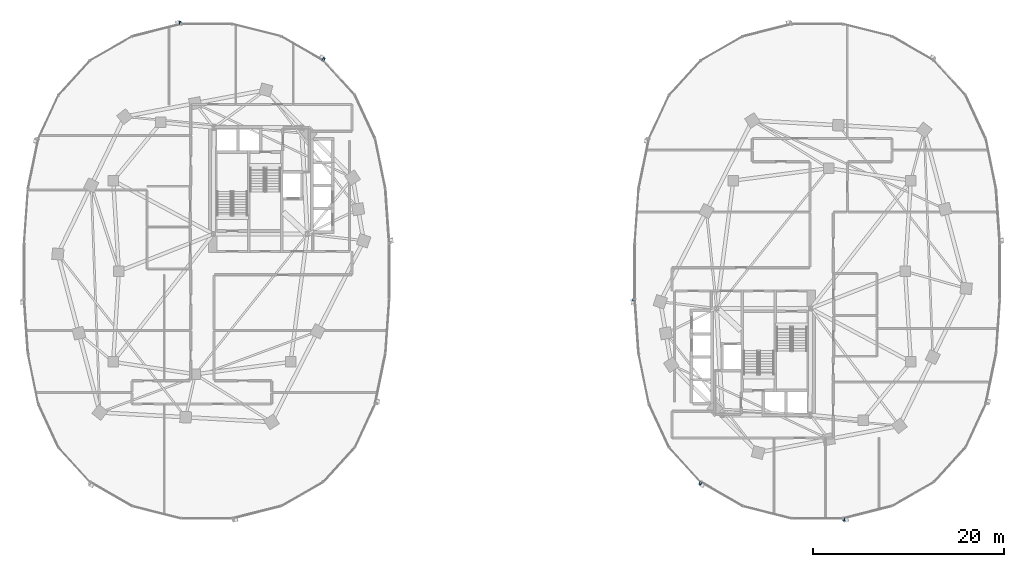
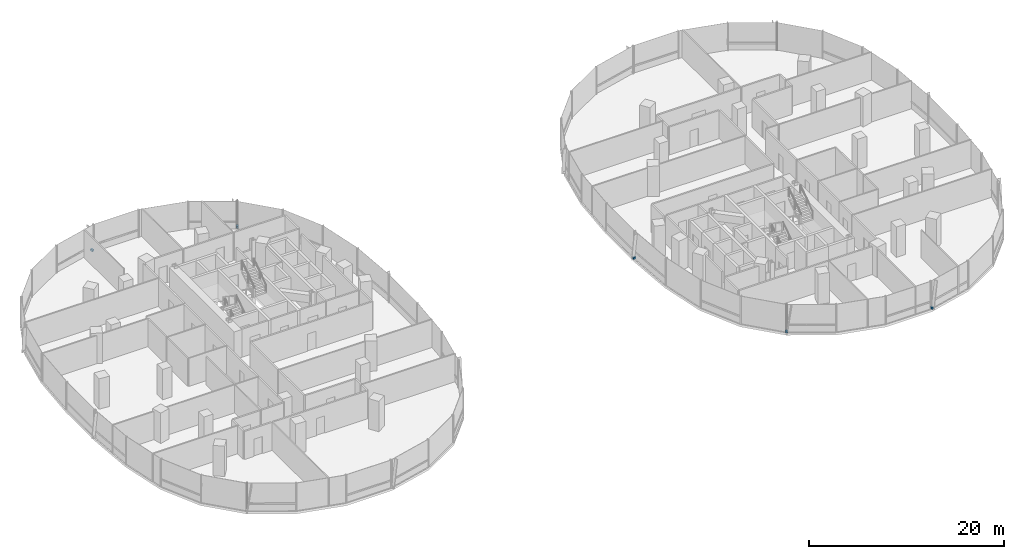
# One storey, part 16 of 22: 5 discrete accessories.
"""IFC4 building model written with IfcOpenShell, lengths in metres."""

from ifc_helpers import new_model, si_unit, direction, frame, origin, origin_2d, place, context, subcontext, project, spatial, rectangle, extrude, material, type_object, element, save


model = new_model("IFC4")

# Units and contexts
model_context = context("Model", 3, precision=1e-05, world=origin(), true_north=direction((0.0, 1.0)))
body_context = subcontext(model_context, "Body", "Model", "MODEL_VIEW")
ifc_project = project(units=[si_unit("LENGTHUNIT", "METRE"), si_unit("AREAUNIT", "SQUARE_METRE"), si_unit("VOLUMEUNIT", "CUBIC_METRE"), si_unit("PLANEANGLEUNIT", "RADIAN"), si_unit("MASSUNIT", "GRAM", prefix="KILO"), si_unit("THERMODYNAMICTEMPERATUREUNIT", "KELVIN"), si_unit("POWERUNIT", "WATT")], contexts=[model_context])

# Site, building, storey
site_placement = place(None, origin())
site = spatial("IfcSite", under=ifc_project, at=site_placement, CompositionType="ELEMENT")
building_placement = place(site_placement, origin())
building = spatial("IfcBuilding", under=site, at=building_placement, Name="Cundina Bronze Exchange", CompositionType="ELEMENT")
storey_placement = place(building_placement, frame((0.0, 0.0, 43.0)))
storey = spatial("IfcBuildingStorey", under=building, at=storey_placement, Name="L10", CompositionType="ELEMENT", Elevation=43.0)

# Discrete accessories
ifc_material = material(Name="Anodised Bronze Aluminium 6063-T6", Category="aluminium")
discrete_accessory_type = type_object("IfcDiscreteAccessoryType", Name="ACC-BRK-FIN", PredefinedType="BRACKET", material=ifc_material)
for number, where, z_axis, x_axis, name in (
    (1, (-19.740478515625, 22.21875, 0.10009765625), (0.0, 0.0, 1.0), (-0.867105478933, 0.498124571171, 0.0), "L10 Fin Support Bracket 5"),
    (2, (-34.76025390625, 26.03173828125, 0.10009765625), (0.0, 0.0, 1.0), (-0.969488149345, -0.245138182011, 0.0), "L10 Fin Support Bracket 1"),
    (3, (12.735595703125, -2.986083984375, 0.10009765625), (0.0, 0.0, 1.0), (0.070278787473, -0.997527389113, 0.0), "L10 Fin Support Bracket 1"),
    (4, (19.740478515625, -22.21875, 0.10009765625), (0.0, 0.0, 1.0), (0.867105478933, -0.498124571171, 0.0), "L10 Fin Support Bracket 5"),
    (5, (34.76025390625, -26.03173828125, 0.10009765625), (0.0, 0.0, 1.0), (0.969488149345, 0.245138182011, 0.0), "L10 Fin Support Bracket 1"),
):
    element("IfcDiscreteAccessory", number, at=place(storey_placement, frame(where, z_axis=z_axis, x_axis=x_axis)), inside=storey, type_object=discrete_accessory_type, Name=name, PredefinedType="BRACKET", context=body_context, shape_type="SweptSolid", body=[
        extrude(rectangle(XDim=0.219970703125, YDim=0.320068359375, at=origin_2d()), origin(), (0.0, 0.0, 1.0), 0.239990234375),
    ])

save(model, "model.ifc")
